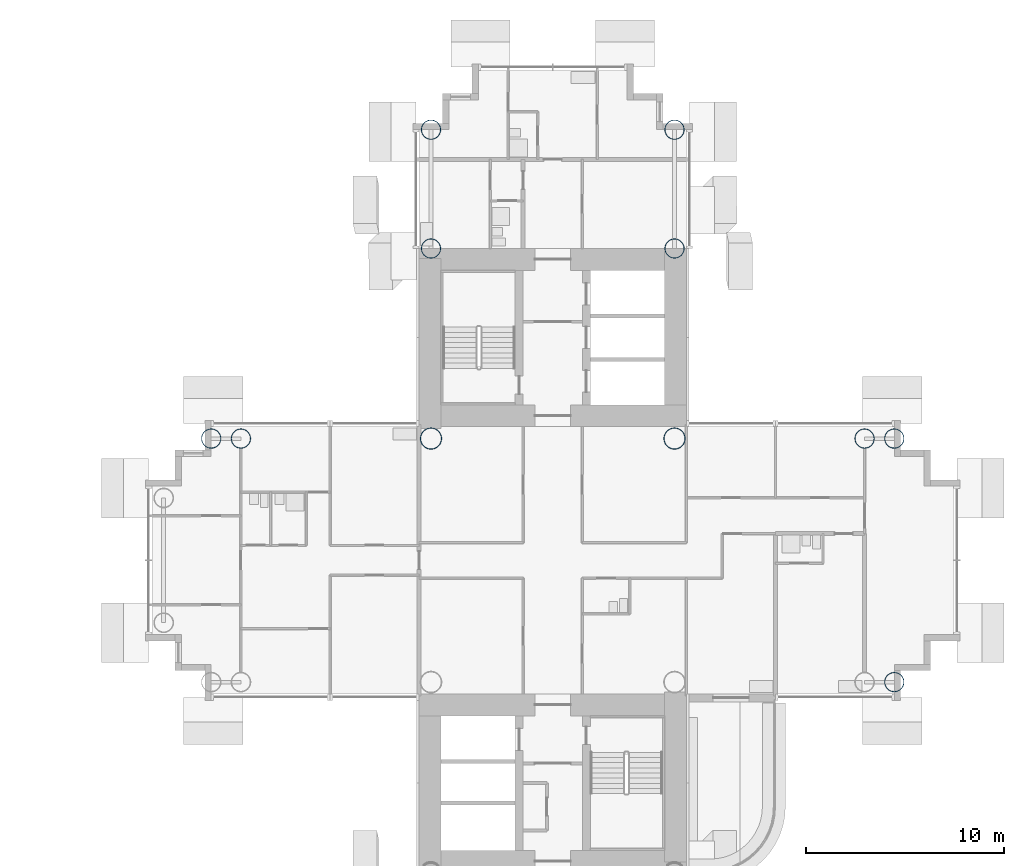
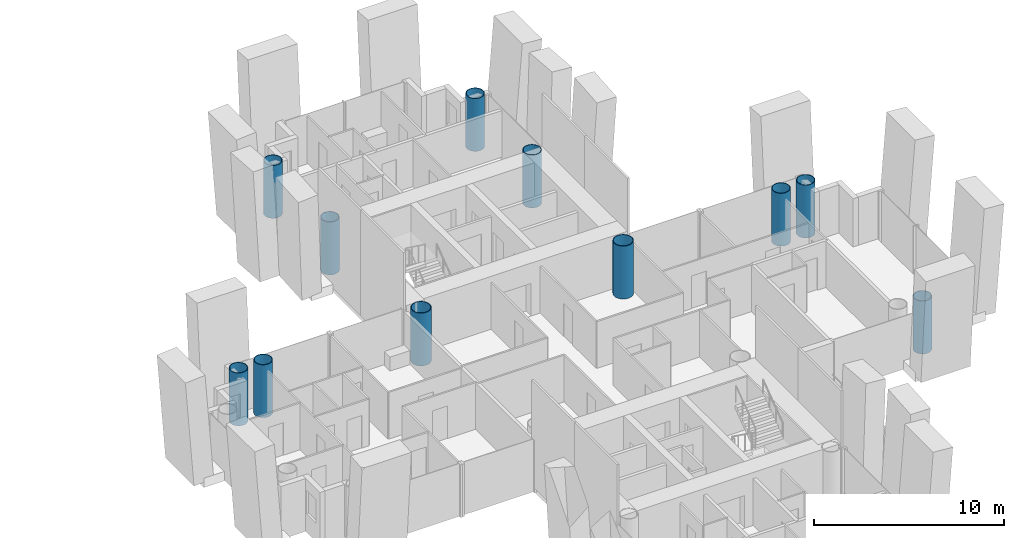
# One storey, part 2 of 25: 11 columns.
"""IFC4 building model written with IfcOpenShell, lengths in metres."""

import ifcopenshell
import ifcopenshell.guid

model = None  # the IFC model being written
_history = None  # IfcOwnerHistory: only IFC2X3 demands one
_inside = {}  # id of a spatial element -> (the spatial element, [elements in it])
_under = {}  # id of a project, library or spatial element -> (it, [spatial elements below it])
_declared = {}  # id of a project -> (the project, [libraries it declares])
_typed = {}  # id of a type object -> (the type object, [elements of that type])
_made_of = {}  # id of a material, layer set ... -> (it, [elements and type objects made of it])


def new_model(schema):
    """Start an empty IFC model of exactly this schema.

    Asked for "IFC4X3", IfcOpenShell would pick the latest addendum, in which some entities
    have other attributes; the version numbers below select the first issue.
    IFC2X3 requires an IfcOwnerHistory on every rooted entity: one is made here for all.
    """
    global model, _history
    if schema == "IFC4X3":
        model = ifcopenshell.file(schema_version=(4, 3, 0, 0))
    else:
        model = ifcopenshell.file(schema=schema)
    _inside.clear()
    _under.clear()
    _declared.clear()
    _typed.clear()
    _made_of.clear()
    _history = None
    if model.schema == "IFC2X3":
        org = make("IfcOrganization", Name="unknown")
        user = make(
            "IfcPersonAndOrganization",
            ThePerson=make("IfcPerson", FamilyName="unknown"),
            TheOrganization=org,
        )
        app = make(
            "IfcApplication",
            ApplicationDeveloper=org,
            Version="unknown",
            ApplicationFullName="unknown",
            ApplicationIdentifier="unknown",
        )
        _history = make(
            "IfcOwnerHistory",
            OwningUser=user,
            OwningApplication=app,
            ChangeAction="ADDED",
            CreationDate=0,
        )
    return model


def make(cls, **values):
    """One entity of the class cls with the attributes given. An attribute that is None is left unset."""
    return model.create_entity(
        cls, **{name: value for name, value in values.items() if value is not None}
    )


def rooted(cls, **values):
    """An entity with a GlobalId (a new one), such as an element, a storey or a relation."""
    return make(cls, GlobalId=ifcopenshell.guid.new(), OwnerHistory=_history, **values)


def si_unit(unit_type, name, prefix=None):
    """IfcSIUnit, for example si_unit("LENGTHUNIT", "METRE", prefix="MILLI")."""
    return make("IfcSIUnit", UnitType=unit_type, Prefix=prefix, Name=name)


def assignment(units):
    """IfcUnitAssignment: the units of a project."""
    return None if units is None else make("IfcUnitAssignment", Units=units)


def point(xyz):
    """IfcCartesianPoint."""
    return None if xyz is None else make("IfcCartesianPoint", Coordinates=xyz)


def direction(xyz):
    """IfcDirection."""
    return None if xyz is None else make("IfcDirection", DirectionRatios=xyz)


def frame(location, z_axis=None, x_axis=None):
    """IfcAxis2Placement3D, a coordinate frame: its origin and axes. An axis left out is left unset."""
    return make(
        "IfcAxis2Placement3D",
        Location=point(location),
        Axis=direction(z_axis),
        RefDirection=direction(x_axis),
    )


def frame_2d(location, x_axis=None):
    """IfcAxis2Placement2D, a coordinate frame in the plane: its origin and x axis."""
    return make(
        "IfcAxis2Placement2D", Location=point(location), RefDirection=direction(x_axis)
    )


def origin():
    """The frame at (0, 0, 0) with its axes left unset."""
    return frame((0.0, 0.0, 0.0))


def origin_2d():
    """The frame at (0, 0) in the plane with its x axis left unset."""
    return frame_2d((0.0, 0.0))


def place(relative_to, where):
    """IfcLocalPlacement: puts the frame where relative to a parent placement (None: the world)."""
    return make(
        "IfcLocalPlacement", PlacementRelTo=relative_to, RelativePlacement=where
    )


def context(
    kind, dimensions, precision=None, world=None, true_north=None, identifier=None
):
    """IfcGeometricRepresentationContext, for example the 3D "Model" context."""
    return make(
        "IfcGeometricRepresentationContext",
        ContextIdentifier=identifier,
        ContextType=kind,
        CoordinateSpaceDimension=dimensions,
        Precision=precision,
        WorldCoordinateSystem=world,
        TrueNorth=true_north,
    )


def subcontext(parent, identifier, kind, view, scale=None):
    """IfcGeometricRepresentationSubContext, for example "Body" below "Model"."""
    return make(
        "IfcGeometricRepresentationSubContext",
        ContextIdentifier=identifier,
        ContextType=kind,
        ParentContext=parent,
        TargetScale=scale,
        TargetView=view,
    )


def project(units=None, contexts=None):
    """IfcProject with its units and contexts."""
    return rooted(
        "IfcProject",
        Name="project",
        RepresentationContexts=contexts,
        UnitsInContext=assignment(units),
    )


def spatial(cls, under=None, at=None, **own):
    """A site, building, storey or space (cls), placed at a placement, below another one or the project."""
    s = rooted(cls, ObjectPlacement=at, **own)
    if under is not None:
        _under.setdefault(under.id(), (under, []))[1].append(s)
    return s


def profile(cls, at=None, kind="AREA", **sizes):
    """A parametric profile (cls). Its sizes go by their IFC names, for example OverallWidth=200.0."""
    return make(cls, ProfileType=kind, Position=at, **sizes)


def hollow_circle(**sizes):
    """IfcCircleHollowProfileDef."""
    return profile("IfcCircleHollowProfileDef", **sizes)


def extrude(swept, where, along, depth):
    """IfcExtrudedAreaSolid: the profile swept, set in the frame where, extruded along a direction by depth."""
    return make(
        "IfcExtrudedAreaSolid",
        SweptArea=swept,
        Position=where,
        ExtrudedDirection=direction(along),
        Depth=depth,
    )


def shape(context_of_items, identifier, shape_type, items):
    """IfcShapeRepresentation: the items that make up one representation, for example the "Body"."""
    return make(
        "IfcShapeRepresentation",
        ContextOfItems=context_of_items,
        RepresentationIdentifier=identifier,
        RepresentationType=shape_type,
        Items=items,
    )


def material(Name=None, Category=None):
    """IfcMaterial."""
    return make("IfcMaterial", Name=Name, Category=Category)


def material_profile(
    of_material, cross_section, Name=None, Category=None, Priority=None
):
    """IfcMaterialProfile: a cross section and its material."""
    return make(
        "IfcMaterialProfile",
        Name=Name,
        Material=of_material,
        Profile=cross_section,
        Priority=Priority,
        Category=Category,
    )


def profile_set(profiles, Name=None, composite=None):
    """IfcMaterialProfileSet."""
    return make(
        "IfcMaterialProfileSet",
        Name=Name,
        MaterialProfiles=profiles,
        CompositeProfile=composite,
    )


def made_of(thing, what):
    """Note that an element or type object is made of a material, layer set ...; save() writes the relation."""
    if what is not None:
        _made_of.setdefault(what.id(), (what, []))[1].append(thing)
    return thing


def type_object(cls, material=None, **own):
    """A type object (cls), such as IfcWallType, which elements share."""
    return made_of(rooted(cls, **own), material)


def element(
    cls,
    number,
    at=None,
    inside=None,
    cuts=None,
    type_object=None,
    material=None,
    context=None,
    identifier="Body",
    shape_type=None,
    held_by="IfcProductDefinitionShape",
    body=None,
    shapes=None,
    **own,
):
    """One element of the class cls, such as IfcWall. Its Tag is "e" and its number.

    at: its placement. inside: the storey or other place that contains it. cuts: it is an
    opening in that element (IfcRelVoidsElement). A single representation is given by context,
    identifier, shape_type and body (its items); several are given by shapes. held_by: the class
    of the entity that holds the representations. save() writes the other relations.
    """
    e = rooted(cls, Tag="e%d" % number, ObjectPlacement=at, **own)
    if body is not None:
        shapes = [shape(context, identifier, shape_type, body)]
    if shapes is not None:
        e.Representation = make(held_by, Representations=shapes)
    if inside is not None:
        _inside.setdefault(inside.id(), (inside, []))[1].append(e)
    if cuts is not None:
        rooted(
            "IfcRelVoidsElement", RelatingBuildingElement=cuts, RelatedOpeningElement=e
        )
    if type_object is not None:
        _typed.setdefault(type_object.id(), (type_object, []))[1].append(e)
    return made_of(e, material)


def aggregate(whole, parts):
    """IfcRelAggregates: a whole, such as a stair, and the parts it consists of."""
    return rooted("IfcRelAggregates", RelatingObject=whole, RelatedObjects=parts)


def save(model, path):
    """Write the relations noted so far, then the file.

    IfcRelAggregates (storeys below a building ...), IfcRelContainedInSpatialStructure (elements
    in a storey), IfcRelDefinesByType, IfcRelAssociatesMaterial and IfcRelDeclares: one each for
    every whole, place, type object, material and project.
    """
    for whole, parts in _under.values():
        aggregate(whole, parts)
    for where, things in _inside.values():
        rooted(
            "IfcRelContainedInSpatialStructure",
            RelatedElements=things,
            RelatingStructure=where,
        )
    for kind, things in _typed.values():
        rooted("IfcRelDefinesByType", RelatedObjects=things, RelatingType=kind)
    for what, things in _made_of.values():
        rooted("IfcRelAssociatesMaterial", RelatedObjects=things, RelatingMaterial=what)
    for by, libraries in _declared.values():
        rooted("IfcRelDeclares", RelatingContext=by, RelatedDefinitions=libraries)
    model.write(path)


model = new_model("IFC4")

# Units and contexts
model_context = context("Model", 3, precision=1e-05, world=origin(), true_north=direction((0.0, 1.0)))
body_context = subcontext(model_context, "Body", "Model", "MODEL_VIEW")
ifc_project = project(units=[si_unit("LENGTHUNIT", "METRE"), si_unit("AREAUNIT", "SQUARE_METRE"), si_unit("VOLUMEUNIT", "CUBIC_METRE"), si_unit("PLANEANGLEUNIT", "RADIAN"), si_unit("MASSUNIT", "GRAM", prefix="KILO")], contexts=[model_context])

# Site, building, storey
site_placement = place(None, origin())
site = spatial("IfcSite", under=ifc_project, at=site_placement, CompositionType="ELEMENT")
building_placement = place(site_placement, origin())
building = spatial("IfcBuilding", under=site, at=building_placement, Name="Ipe Terrace Towers", CompositionType="ELEMENT")
storey_placement = place(building_placement, frame((0.0, 0.0, 58.5)))
storey = spatial("IfcBuildingStorey", under=building, at=storey_placement, Name="L15", CompositionType="ELEMENT", Elevation=58.5)

# Columns
ifc_material_1 = material(Name="Steel S355 tube with Concrete C60/75 fill", Category="concrete")
ifc_material_profile_1 = material_profile(ifc_material_1, hollow_circle(Radius=0.5, WallThickness=0.035888671875, at=origin_2d()), Name="CHS-1000x36")
ifc_profile_set_1 = profile_set([ifc_material_profile_1], Name="Steel S355 tube with Concrete C60/75 fill")
column_type_1 = type_object("IfcColumnType", Name="CH01 COLUMN CHS-1000x36", PredefinedType="COLUMN", material=ifc_profile_set_1)
for number, where, z_axis, x_axis, name in (
    (1, (42.14990234375, 15.75, 0.0), (0.0, 0.0, 1.0), (1.0, 0.0, 0.0), "Column T2-C-A01"),
    (2, (29.85009765625, 15.75, 0.0), (0.0, 0.0, 1.0), (1.0, 0.0, 0.0), "Column T2-C-A02"),
    (3, (42.14990234375, 21.75, 0.0), (0.0, 0.0, 1.0), (1.0, 0.0, 0.0), "Column T2-C-A03"),
    (4, (29.85009765625, 21.75, 0.0), (0.0, 0.0, 1.0), (1.0, 0.0, 0.0), "Column T2-C-A04"),
    (5, (20.25, 6.14990234375, 0.0), (0.0, 0.0, 1.0), (1.0, 0.0, 0.0), "Column T2-C-B03"),
    (6, (18.75, 6.14990234375, 0.0), (0.0, 0.0, 1.0), (1.0, 0.0, 0.0), "Column T2-C-B05"),
    (7, (51.75, 6.14990234375, 0.0), (0.0, 0.0, 1.0), (1.0, 0.0, 0.0), "Column T2-C-D04"),
    (8, (53.25, -6.14990234375, 0.0), (0.0, 0.0, 1.0), (1.0, 0.0, 0.0), "Column T2-C-D05"),
    (9, (53.25, 6.14990234375, 0.0), (0.0, 0.0, 1.0), (1.0, 0.0, 0.0), "Column T2-C-D06"),
):
    element("IfcColumn", number, at=place(storey_placement, frame(where, z_axis=z_axis, x_axis=x_axis)), inside=storey, type_object=column_type_1, Name=name, PredefinedType="COLUMN", context=body_context, shape_type="SweptSolid", body=[
        extrude(hollow_circle(Radius=0.5, WallThickness=0.035888671875, at=origin_2d()), origin(), (0.0, 0.0, 1.0), 3.39990234375),
    ])
ifc_material_2 = material(Name="Steel S355 tube with Concrete C60/75 fill", Category="concrete")
ifc_material_profile_2 = material_profile(ifc_material_2, hollow_circle(Radius=0.550048828125, WallThickness=0.0400390625, at=origin_2d()), Name="CHS-1100x40")
ifc_profile_set_2 = profile_set([ifc_material_profile_2], Name="Steel S355 tube with Concrete C60/75 fill")
column_type_2 = type_object("IfcColumnType", Name="CH02 COLUMN CHS-1100x40", PredefinedType="COLUMN", material=ifc_profile_set_2)
for number, where, z_axis, x_axis, name in (
    (10, (42.14990234375, 6.14990234375, 0.0), (0.0, 0.0, 1.0), (1.0, 0.0, 0.0), "Column T2-C-E02"),
    (11, (29.85009765625, 6.14990234375, 0.0), (0.0, 0.0, 1.0), (1.0, 0.0, 0.0), "Column T2-C-E03"),
):
    element("IfcColumn", number, at=place(storey_placement, frame(where, z_axis=z_axis, x_axis=x_axis)), inside=storey, type_object=column_type_2, Name=name, PredefinedType="COLUMN", context=body_context, shape_type="SweptSolid", body=[
        extrude(hollow_circle(Radius=0.550048828125, WallThickness=0.0400390625, at=origin_2d()), origin(), (0.0, 0.0, 1.0), 3.39990234375),
    ])

save(model, "model.ifc")
